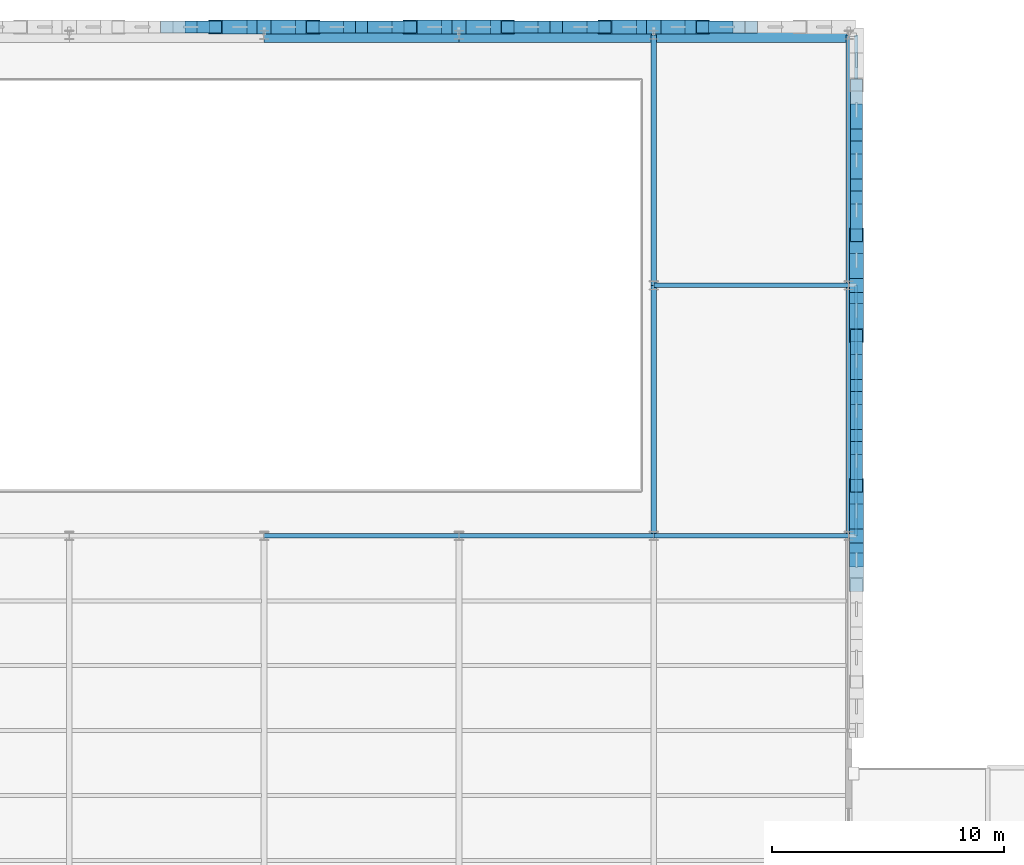
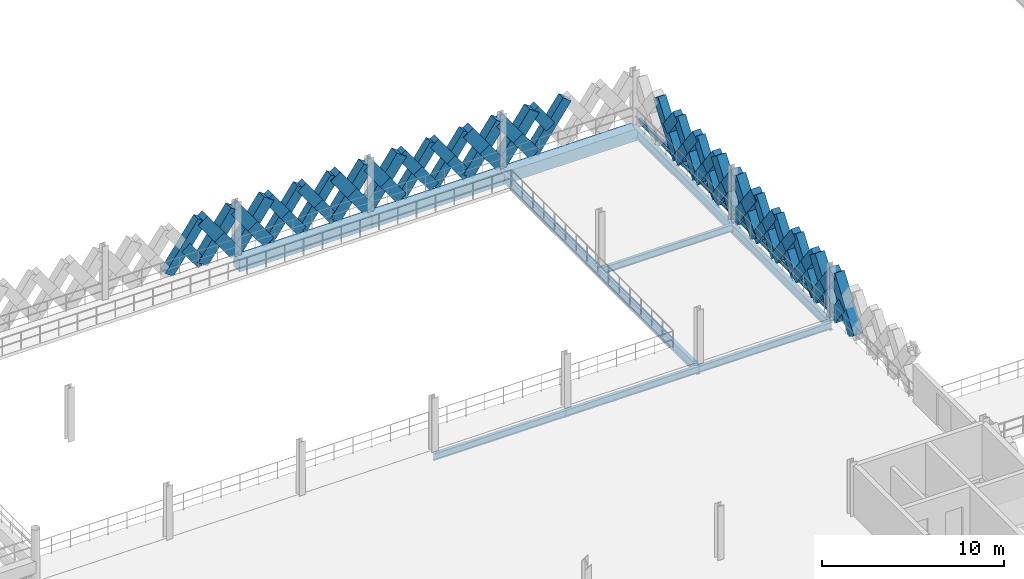
# One storey, part 42 of 101: 64 members, 11 beams.
"""IFC4 building model written with IfcOpenShell, lengths in metres."""

from ifc_helpers import new_model, si_unit, direction, frame, origin, origin_2d, place, context, subcontext, project, spatial, rectangle, hollow_rectangle, i_section, extrude, material, material_profile, profile_set, type_object, element, save


model = new_model("IFC4")

# Units and contexts
model_context = context("Model", 3, precision=1e-05, world=origin(), true_north=direction((0.0, 1.0)))
body_context = subcontext(model_context, "Body", "Model", "MODEL_VIEW")
ifc_project = project(units=[si_unit("LENGTHUNIT", "METRE"), si_unit("AREAUNIT", "SQUARE_METRE"), si_unit("VOLUMEUNIT", "CUBIC_METRE"), si_unit("PLANEANGLEUNIT", "RADIAN"), si_unit("MASSUNIT", "GRAM", prefix="KILO"), si_unit("THERMODYNAMICTEMPERATUREUNIT", "KELVIN"), si_unit("POWERUNIT", "WATT")], contexts=[model_context])

# Site, building, storey
site_placement = place(None, origin())
site = spatial("IfcSite", under=ifc_project, at=site_placement, CompositionType="ELEMENT")
building_placement = place(site_placement, origin())
building = spatial("IfcBuilding", under=site, at=building_placement, Name="Tembeka Court Mobility Hub", CompositionType="ELEMENT")
storey_placement = place(building_placement, frame((0.0, 0.0, 5.39990234375)))
storey = spatial("IfcBuildingStorey", under=building, at=storey_placement, Name="L01", CompositionType="ELEMENT", Elevation=5.39990234375)

# Beams
ifc_material_1 = material(Name="Steel S355", Category="steel")
ifc_material_profile_1 = material_profile(ifc_material_1, i_section(OverallWidth=0.18994140625, OverallDepth=0.45703125, WebThickness=0.009033203125, FlangeThickness=0.014404296875, FilletRadius=0.01025390625, at=origin_2d()), Name="UKB 457x191x74")
ifc_profile_set_1 = profile_set([ifc_material_profile_1], Name="Steel S355")
beam_type_1 = type_object("IfcBeamType", Name="BM-B01", PredefinedType="BEAM", material=ifc_profile_set_1)
beam_1_placement = place(storey_placement, frame((67.199951171875, 97.199951171875, -0.448486328125), z_axis=(1.0, 0.0, 0.0), x_axis=(0.0, 1.0, 0.0)))
element("IfcBeam", 1, at=beam_1_placement, inside=storey, type_object=beam_type_1, Name="Beam B01 (BM-L01-X0743)", PredefinedType="BEAM", context=body_context, shape_type="SweptSolid", body=[
    extrude(i_section(OverallWidth=0.18994140625, OverallDepth=0.45703125, WebThickness=0.009033203125, FlangeThickness=0.014404296875, FilletRadius=0.01025390625, at=origin_2d()), origin(), (0.0, 0.0, 1.0), 8.400146484375),
])
for number, where, z_axis, x_axis, name in (
    (2, (75.60009765625, 97.199951171875, -0.448486328125), (1.0, 0.0, 0.0), (0.0, 1.0, 0.0), "Beam B01 (BM-L01-X0744)"),
    (3, (84.0, 97.199951171875, -0.448486328125), (1.0, 0.0, 0.0), (0.0, 1.0, 0.0), "Beam B01 (BM-L01-X0745)"),
    (4, (84.0, 108.0, -0.448486328125), (1.0, 0.0, 0.0), (0.0, 1.0, 0.0), "Beam B01 (BM-L01-X0749)"),
):
    element("IfcBeam", number, at=place(storey_placement, frame(where, z_axis=z_axis, x_axis=x_axis)), inside=storey, type_object=beam_type_1, Name=name, PredefinedType="BEAM", context=body_context, shape_type="SweptSolid", body=[
        extrude(i_section(OverallWidth=0.18994140625, OverallDepth=0.45703125, WebThickness=0.009033203125, FlangeThickness=0.014404296875, FilletRadius=0.01025390625, at=origin_2d()), origin(), (0.0, 0.0, 1.0), 8.39990234375),
    ])
ifc_material_profile_2 = material_profile(ifc_material_1, i_section(OverallWidth=0.22900390625, OverallDepth=0.612060546875, WebThickness=0.011962890625, FlangeThickness=0.01953125, FilletRadius=0.0126953125, at=origin_2d()), Name="UKB 610x229x125")
ifc_profile_set_2 = profile_set([ifc_material_profile_2], Name="Steel S355")
beam_type_2 = type_object("IfcBeamType", Name="BM-G02", PredefinedType="USERDEFINED", material=ifc_profile_set_2)
for number, where, z_axis, x_axis, name in (
    (5, (84.0, 97.199951171875, -0.52587890625), (0.0, 1.0, 0.0), (-1.0, 0.0, 0.0), "Beam G02 (BM-L01-Y0853)"),
    (6, (84.0, 108.0, -0.52587890625), (0.0, 1.0, 0.0), (-1.0, 0.0, 0.0), "Beam G02 (BM-L01-Y0854)"),
    (7, (92.39990234375, 97.199951171875, -0.52587890625), (0.0, 1.0, 0.0), (-1.0, 0.0, 0.0), "Beam G02 (BM-L01-Y0864)"),
    (8, (92.39990234375, 108.0, -0.52587890625), (0.0, 1.0, 0.0), (-1.0, 0.0, 0.0), "Beam G02 (BM-L01-Y0865)"),
):
    element("IfcBeam", number, at=place(storey_placement, frame(where, z_axis=z_axis, x_axis=x_axis)), inside=storey, type_object=beam_type_2, Name=name, ObjectType="GIRDER", PredefinedType="USERDEFINED", context=body_context, shape_type="SweptSolid", body=[
        extrude(i_section(OverallWidth=0.22900390625, OverallDepth=0.612060546875, WebThickness=0.011962890625, FlangeThickness=0.01953125, FilletRadius=0.0126953125, at=origin_2d()), origin(), (0.0, 0.0, 1.0), 10.800048828125),
    ])
ifc_material_2 = material(Name="Precast concrete C45/55", Category="concrete")
ifc_material_profile_3 = material_profile(ifc_material_2, rectangle(XDim=0.64990234375, YDim=0.800048828125, at=origin_2d()), Name="PC-SP 650x800")
ifc_profile_set_3 = profile_set([ifc_material_profile_3], Name="Precast concrete C45/55")
beam_type_3 = type_object("IfcBeamType", Name="BM-SP01", PredefinedType="SPANDREL", material=ifc_profile_set_3)
beam_2_placement = place(storey_placement, frame((67.199951171875, 118.800048828125, -0.619873046875), z_axis=(1.0, 0.0, 0.0), x_axis=(0.0, 1.0, 0.0)))
element("IfcBeam", 9, at=beam_2_placement, inside=storey, type_object=beam_type_3, Name="Beam SP01 (BM-L01-X0758)", PredefinedType="SPANDREL", context=body_context, shape_type="SweptSolid", body=[
    extrude(rectangle(XDim=0.64990234375, YDim=0.800048828125, at=origin_2d()), origin(), (0.0, 0.0, 1.0), 8.400146484375),
])
for number, where, z_axis, x_axis, name in (
    (10, (75.60009765625, 118.800048828125, -0.619873046875), (1.0, 0.0, 0.0), (0.0, 1.0, 0.0), "Beam SP01 (BM-L01-X0759)"),
    (11, (84.0, 118.800048828125, -0.619873046875), (1.0, 0.0, 0.0), (0.0, 1.0, 0.0), "Beam SP01 (BM-L01-X0760)"),
):
    element("IfcBeam", number, at=place(storey_placement, frame(where, z_axis=z_axis, x_axis=x_axis)), inside=storey, type_object=beam_type_3, Name=name, PredefinedType="SPANDREL", context=body_context, shape_type="SweptSolid", body=[
        extrude(rectangle(XDim=0.64990234375, YDim=0.800048828125, at=origin_2d()), origin(), (0.0, 0.0, 1.0), 8.39990234375),
    ])

# Members
ifc_material_profile_4 = material_profile(ifc_material_2, rectangle(XDim=0.5, YDim=0.64990234375, at=origin_2d()), Name="PC-DIAG 500x650")
ifc_profile_set_4 = profile_set([ifc_material_profile_4], Name="Precast concrete C45/55")
member_type_1 = type_object("IfcMemberType", Name="MEM-DL01", PredefinedType="BRACE", material=ifc_profile_set_4)
member_1_placement = place(storey_placement, frame((63.0, 119.139892578125, 0.02001953125), z_axis=(0.582544294934, 0.0, 0.812798956963), x_axis=(0.0, 1.0, 0.0)))
element("IfcMember", 12, at=member_1_placement, inside=storey, type_object=member_type_1, Name="Precast diamond lattice continuous strand DL01 (L01-75A)", PredefinedType="BRACE", context=body_context, shape_type="SweptSolid", body=[
    extrude(rectangle(XDim=0.5, YDim=0.64990234375, at=origin_2d()), origin(), (0.0, 0.0, 1.0), 3.60498046875),
])
member_2_placement = place(storey_placement, frame((65.10009765625, 119.139892578125, 0.02001953125), z_axis=(-0.582544294934, 0.0, 0.812798956963), x_axis=(0.0, -1.0, 0.0)))
element("IfcMember", 13, at=member_2_placement, inside=storey, type_object=member_type_1, Name="Precast diamond lattice split lower strand DL01 (L01-75B1)", PredefinedType="BRACE", context=body_context, shape_type="SweptSolid", body=[
    extrude(rectangle(XDim=0.5, YDim=0.64990234375, at=origin_2d()), origin(), (0.0, 0.0, 1.0), 1.802490234375),
])
member_3_placement = place(storey_placement, frame((69.300048828125, 119.139892578125, 0.02001953125), z_axis=(0.582499552306, 0.0, 0.812831022762), x_axis=(0.0, 1.0, 0.0)))
element("IfcMember", 14, at=member_3_placement, inside=storey, type_object=member_type_1, Name="Precast diamond lattice continuous strand DL01 (L01-78A)", PredefinedType="BRACE", context=body_context, shape_type="SweptSolid", body=[
    extrude(rectangle(XDim=0.5, YDim=0.64990234375, at=origin_2d()), origin(), (0.0, 0.0, 1.0), 3.60498046875),
])
for number, where, z_axis, x_axis, name in (
    (15, (71.39990234375, 119.139892578125, 0.02001953125), (-0.582454804382, 0.0, 0.812863088627), (0.0, -1.0, 0.0), "Precast diamond lattice split lower strand DL01 (L01-78B1)"),
    (16, (70.35009765625, 119.139892578125, 1.485107421875), (-0.582544294934, 0.0, 0.812798956963), (0.0, -1.0, 0.0), "Precast diamond lattice split upper strand DL01 (L01-78B2)"),
):
    element("IfcMember", number, at=place(storey_placement, frame(where, z_axis=z_axis, x_axis=x_axis)), inside=storey, type_object=member_type_1, Name=name, PredefinedType="BRACE", context=body_context, shape_type="SweptSolid", body=[
        extrude(rectangle(XDim=0.5, YDim=0.64990234375, at=origin_2d()), origin(), (0.0, 0.0, 1.0), 1.802490234375),
    ])
member_4_placement = place(storey_placement, frame((71.39990234375, 119.139892578125, 0.02001953125), z_axis=(0.582544294934, 0.0, 0.812798956963), x_axis=(0.0, 1.0, 0.0)))
element("IfcMember", 17, at=member_4_placement, inside=storey, type_object=member_type_1, Name="Precast diamond lattice continuous strand DL01 (L01-79A)", PredefinedType="BRACE", context=body_context, shape_type="SweptSolid", body=[
    extrude(rectangle(XDim=0.5, YDim=0.64990234375, at=origin_2d()), origin(), (0.0, 0.0, 1.0), 3.60498046875),
])
for number, where, z_axis, x_axis, name in (
    (18, (73.5, 119.139892578125, 0.02001953125), (-0.582544294934, 0.0, 0.812798956963), (0.0, -1.0, 0.0), "Precast diamond lattice split lower strand DL01 (L01-79B1)"),
    (19, (72.449951171875, 119.139892578125, 1.485107421875), (-0.582544294934, 0.0, 0.812798956963), (0.0, -1.0, 0.0), "Precast diamond lattice split upper strand DL01 (L01-79B2)"),
):
    element("IfcMember", number, at=place(storey_placement, frame(where, z_axis=z_axis, x_axis=x_axis)), inside=storey, type_object=member_type_1, Name=name, PredefinedType="BRACE", context=body_context, shape_type="SweptSolid", body=[
        extrude(rectangle(XDim=0.5, YDim=0.64990234375, at=origin_2d()), origin(), (0.0, 0.0, 1.0), 1.802490234375),
    ])
member_5_placement = place(storey_placement, frame((77.699951171875, 119.139892578125, 0.02001953125), z_axis=(0.582544294934, 0.0, 0.812798956963), x_axis=(0.0, 1.0, 0.0)))
element("IfcMember", 20, at=member_5_placement, inside=storey, type_object=member_type_1, Name="Precast diamond lattice continuous strand DL01 (L01-82A)", PredefinedType="BRACE", context=body_context, shape_type="SweptSolid", body=[
    extrude(rectangle(XDim=0.5, YDim=0.64990234375, at=origin_2d()), origin(), (0.0, 0.0, 1.0), 3.60498046875),
])
for number, where, z_axis, x_axis, name in (
    (21, (79.800048828125, 119.139892578125, 0.02001953125), (-0.582544294934, 0.0, 0.812798956963), (0.0, -1.0, 0.0), "Precast diamond lattice split lower strand DL01 (L01-82B1)"),
    (22, (78.75, 119.139892578125, 1.485107421875), (-0.582544294934, 0.0, 0.812798956963), (0.0, -1.0, 0.0), "Precast diamond lattice split upper strand DL01 (L01-82B2)"),
):
    element("IfcMember", number, at=place(storey_placement, frame(where, z_axis=z_axis, x_axis=x_axis)), inside=storey, type_object=member_type_1, Name=name, PredefinedType="BRACE", context=body_context, shape_type="SweptSolid", body=[
        extrude(rectangle(XDim=0.5, YDim=0.64990234375, at=origin_2d()), origin(), (0.0, 0.0, 1.0), 1.802490234375),
    ])
member_6_placement = place(storey_placement, frame((79.800048828125, 119.139892578125, 0.02001953125), z_axis=(0.582499552306, 0.0, 0.812831022762), x_axis=(0.0, 1.0, 0.0)))
element("IfcMember", 23, at=member_6_placement, inside=storey, type_object=member_type_1, Name="Precast diamond lattice continuous strand DL01 (L01-83A)", PredefinedType="BRACE", context=body_context, shape_type="SweptSolid", body=[
    extrude(rectangle(XDim=0.5, YDim=0.64990234375, at=origin_2d()), origin(), (0.0, 0.0, 1.0), 3.60498046875),
])
for number, where, z_axis, x_axis, name in (
    (24, (81.89990234375, 119.139892578125, 0.02001953125), (-0.582454804382, 0.0, 0.812863088627), (0.0, -1.0, 0.0), "Precast diamond lattice split lower strand DL01 (L01-83B1)"),
    (25, (80.85009765625, 119.139892578125, 1.485107421875), (-0.582544294934, 0.0, 0.812798956963), (0.0, -1.0, 0.0), "Precast diamond lattice split upper strand DL01 (L01-83B2)"),
):
    element("IfcMember", number, at=place(storey_placement, frame(where, z_axis=z_axis, x_axis=x_axis)), inside=storey, type_object=member_type_1, Name=name, PredefinedType="BRACE", context=body_context, shape_type="SweptSolid", body=[
        extrude(rectangle(XDim=0.5, YDim=0.64990234375, at=origin_2d()), origin(), (0.0, 0.0, 1.0), 1.802490234375),
    ])
member_7_placement = place(storey_placement, frame((86.10009765625, 119.139892578125, 0.02001953125), z_axis=(0.582499552306, 0.0, 0.812831022762), x_axis=(0.0, 1.0, 0.0)))
element("IfcMember", 26, at=member_7_placement, inside=storey, type_object=member_type_1, Name="Precast diamond lattice continuous strand DL01 (L01-86A)", PredefinedType="BRACE", context=body_context, shape_type="SweptSolid", body=[
    extrude(rectangle(XDim=0.5, YDim=0.64990234375, at=origin_2d()), origin(), (0.0, 0.0, 1.0), 3.60498046875),
])
member_8_placement = place(storey_placement, frame((87.14990234375, 119.139892578125, 1.485107421875), z_axis=(-0.582454804382, 0.0, 0.812863088627), x_axis=(0.0, -1.0, 0.0)))
element("IfcMember", 27, at=member_8_placement, inside=storey, type_object=member_type_1, Name="Precast diamond lattice split upper strand DL01 (L01-86B2)", PredefinedType="BRACE", context=body_context, shape_type="SweptSolid", body=[
    extrude(rectangle(XDim=0.5, YDim=0.64990234375, at=origin_2d()), origin(), (0.0, 0.0, 1.0), 1.802490234375),
])
member_9_placement = place(storey_placement, frame((92.739990234375, 99.360107421875, 0.02001953125), z_axis=(0.0, 0.593347732742, 0.804946251653), x_axis=(-1.0, 0.0, 0.0)))
element("IfcMember", 28, at=member_9_placement, inside=storey, type_object=member_type_1, Name="Precast diamond lattice continuous strand DL01 (L01-180C)", PredefinedType="BRACE", context=body_context, shape_type="SweptSolid", body=[
    extrude(rectangle(XDim=0.5, YDim=0.64990234375, at=origin_2d()), origin(), (0.0, 0.0, 1.0), 3.64013671875),
])
for number, where, z_axis, x_axis, name in (
    (29, (92.739990234375, 101.52001953125, 0.02001953125), (0.0, -0.593391185876, 0.804914219358), (1.0, 0.0, 0.0), "Precast diamond lattice split lower strand DL01 (L01-180D1)"),
    (30, (92.739990234375, 100.43994140625, 1.485107421875), (0.0, -0.593304274421, 0.804978284151), (1.0, 0.0, 0.0), "Precast diamond lattice split upper strand DL01 (L01-180D2)"),
):
    element("IfcMember", number, at=place(storey_placement, frame(where, z_axis=z_axis, x_axis=x_axis)), inside=storey, type_object=member_type_1, Name=name, PredefinedType="BRACE", context=body_context, shape_type="SweptSolid", body=[
        extrude(rectangle(XDim=0.5, YDim=0.64990234375, at=origin_2d()), origin(), (0.0, 0.0, 1.0), 1.820068359375),
    ])
member_10_placement = place(storey_placement, frame((92.739990234375, 101.52001953125, 0.02001953125), z_axis=(0.0, 0.593347732742, 0.804946251653), x_axis=(-1.0, 0.0, 0.0)))
element("IfcMember", 31, at=member_10_placement, inside=storey, type_object=member_type_1, Name="Precast diamond lattice continuous strand DL01 (L01-181C)", PredefinedType="BRACE", context=body_context, shape_type="SweptSolid", body=[
    extrude(rectangle(XDim=0.5, YDim=0.64990234375, at=origin_2d()), origin(), (0.0, 0.0, 1.0), 3.64013671875),
])
for number, where, z_axis, x_axis, name in (
    (32, (92.739990234375, 103.679931640625, 0.02001953125), (0.0, -0.593304274421, 0.804978284151), (1.0, 0.0, 0.0), "Precast diamond lattice split lower strand DL01 (L01-181D1)"),
    (33, (92.739990234375, 102.60009765625, 1.485107421875), (0.0, -0.593391185876, 0.804914219358), (1.0, 0.0, 0.0), "Precast diamond lattice split upper strand DL01 (L01-181D2)"),
):
    element("IfcMember", number, at=place(storey_placement, frame(where, z_axis=z_axis, x_axis=x_axis)), inside=storey, type_object=member_type_1, Name=name, PredefinedType="BRACE", context=body_context, shape_type="SweptSolid", body=[
        extrude(rectangle(XDim=0.5, YDim=0.64990234375, at=origin_2d()), origin(), (0.0, 0.0, 1.0), 1.820068359375),
    ])
member_11_placement = place(storey_placement, frame((92.739990234375, 103.679931640625, 0.02001953125), z_axis=(0.0, 0.593391185876, 0.804914219358), x_axis=(-1.0, 0.0, 0.0)))
element("IfcMember", 34, at=member_11_placement, inside=storey, type_object=member_type_1, Name="Precast diamond lattice continuous strand DL01 (L01-182C)", PredefinedType="BRACE", context=body_context, shape_type="SweptSolid", body=[
    extrude(rectangle(XDim=0.5, YDim=0.64990234375, at=origin_2d()), origin(), (0.0, 0.0, 1.0), 3.640380859375),
])
for number, where, z_axis, x_axis, name in (
    (35, (92.739990234375, 105.840087890625, 0.02001953125), (0.0, -0.593391185876, 0.804914219358), (1.0, 0.0, 0.0), "Precast diamond lattice split lower strand DL01 (L01-182D1)"),
    (36, (92.739990234375, 104.760009765625, 1.485107421875), (0.0, -0.593391185876, 0.804914219358), (1.0, 0.0, 0.0), "Precast diamond lattice split upper strand DL01 (L01-182D2)"),
):
    element("IfcMember", number, at=place(storey_placement, frame(where, z_axis=z_axis, x_axis=x_axis)), inside=storey, type_object=member_type_1, Name=name, PredefinedType="BRACE", context=body_context, shape_type="SweptSolid", body=[
        extrude(rectangle(XDim=0.5, YDim=0.64990234375, at=origin_2d()), origin(), (0.0, 0.0, 1.0), 1.820068359375),
    ])
member_12_placement = place(storey_placement, frame((92.739990234375, 110.159912109375, 0.02001953125), z_axis=(0.0, 0.593391185876, 0.804914219358), x_axis=(-1.0, 0.0, 0.0)))
element("IfcMember", 37, at=member_12_placement, inside=storey, type_object=member_type_1, Name="Precast diamond lattice continuous strand DL01 (L01-185C)", PredefinedType="BRACE", context=body_context, shape_type="SweptSolid", body=[
    extrude(rectangle(XDim=0.5, YDim=0.64990234375, at=origin_2d()), origin(), (0.0, 0.0, 1.0), 3.640380859375),
])
for number, where, z_axis, x_axis, name in (
    (38, (92.739990234375, 112.320068359375, 0.02001953125), (0.0, -0.593391185876, 0.804914219358), (1.0, 0.0, 0.0), "Precast diamond lattice split lower strand DL01 (L01-185D1)"),
    (39, (92.739990234375, 111.239990234375, 1.485107421875), (0.0, -0.593391185876, 0.804914219358), (1.0, 0.0, 0.0), "Precast diamond lattice split upper strand DL01 (L01-185D2)"),
):
    element("IfcMember", number, at=place(storey_placement, frame(where, z_axis=z_axis, x_axis=x_axis)), inside=storey, type_object=member_type_1, Name=name, PredefinedType="BRACE", context=body_context, shape_type="SweptSolid", body=[
        extrude(rectangle(XDim=0.5, YDim=0.64990234375, at=origin_2d()), origin(), (0.0, 0.0, 1.0), 1.820068359375),
    ])
member_13_placement = place(storey_placement, frame((92.739990234375, 112.320068359375, 0.02001953125), z_axis=(0.0, 0.593347732742, 0.804946251653), x_axis=(-1.0, 0.0, 0.0)))
element("IfcMember", 40, at=member_13_placement, inside=storey, type_object=member_type_1, Name="Precast diamond lattice continuous strand DL01 (L01-186C)", PredefinedType="BRACE", context=body_context, shape_type="SweptSolid", body=[
    extrude(rectangle(XDim=0.5, YDim=0.64990234375, at=origin_2d()), origin(), (0.0, 0.0, 1.0), 3.64013671875),
])
for number, where, z_axis, x_axis, name in (
    (41, (92.739990234375, 114.47998046875, 0.02001953125), (0.0, -0.593391185876, 0.804914219358), (1.0, 0.0, 0.0), "Precast diamond lattice split lower strand DL01 (L01-186D1)"),
    (42, (92.739990234375, 113.39990234375, 1.485107421875), (0.0, -0.593304274421, 0.804978284151), (1.0, 0.0, 0.0), "Precast diamond lattice split upper strand DL01 (L01-186D2)"),
):
    element("IfcMember", number, at=place(storey_placement, frame(where, z_axis=z_axis, x_axis=x_axis)), inside=storey, type_object=member_type_1, Name=name, PredefinedType="BRACE", context=body_context, shape_type="SweptSolid", body=[
        extrude(rectangle(XDim=0.5, YDim=0.64990234375, at=origin_2d()), origin(), (0.0, 0.0, 1.0), 1.820068359375),
    ])
member_14_placement = place(storey_placement, frame((92.739990234375, 114.47998046875, 0.02001953125), z_axis=(0.0, 0.593347732742, 0.804946251653), x_axis=(-1.0, 0.0, 0.0)))
element("IfcMember", 43, at=member_14_placement, inside=storey, type_object=member_type_1, Name="Precast diamond lattice continuous strand DL01 (L01-187C)", PredefinedType="BRACE", context=body_context, shape_type="SweptSolid", body=[
    extrude(rectangle(XDim=0.5, YDim=0.64990234375, at=origin_2d()), origin(), (0.0, 0.0, 1.0), 3.64013671875),
])
member_15_placement = place(storey_placement, frame((92.739990234375, 115.56005859375, 1.485107421875), z_axis=(0.0, -0.593391185876, 0.804914219358), x_axis=(1.0, 0.0, 0.0)))
element("IfcMember", 44, at=member_15_placement, inside=storey, type_object=member_type_1, Name="Precast diamond lattice split upper strand DL01 (L01-187D2)", PredefinedType="BRACE", context=body_context, shape_type="SweptSolid", body=[
    extrude(rectangle(XDim=0.5, YDim=0.64990234375, at=origin_2d()), origin(), (0.0, 0.0, 1.0), 1.820068359375),
])
ifc_material_profile_5 = material_profile(ifc_material_2, rectangle(XDim=0.60009765625, YDim=0.75, at=origin_2d()), Name="PC-DIAG 600x750")
ifc_profile_set_5 = profile_set([ifc_material_profile_5], Name="Precast concrete C45/55")
member_type_2 = type_object("IfcMemberType", Name="MEM-DL02", PredefinedType="BRACE", material=ifc_profile_set_5)
member_16_placement = place(storey_placement, frame((65.10009765625, 119.139892578125, 0.02001953125), z_axis=(0.582499552306, 0.0, 0.812831022762), x_axis=(0.0, 1.0, 0.0)))
element("IfcMember", 45, at=member_16_placement, inside=storey, type_object=member_type_2, Name="Precast diamond lattice continuous strand DL02 (L01-76A)", PredefinedType="BRACE", context=body_context, shape_type="SweptSolid", body=[
    extrude(rectangle(XDim=0.60009765625, YDim=0.75, at=origin_2d()), origin(), (0.0, 0.0, 1.0), 3.60498046875),
])
for number, where, z_axis, x_axis, name in (
    (46, (67.199951171875, 119.139892578125, 0.02001953125), (-0.582544294934, 0.0, 0.812798956963), (0.0, -1.0, 0.0), "Precast diamond lattice split lower strand DL02 (L01-76B1)"),
    (47, (66.14990234375, 119.139892578125, 1.485107421875), (-0.582454804382, 0.0, 0.812863088627), (0.0, -1.0, 0.0), "Precast diamond lattice split upper strand DL02 (L01-76B2)"),
):
    element("IfcMember", number, at=place(storey_placement, frame(where, z_axis=z_axis, x_axis=x_axis)), inside=storey, type_object=member_type_2, Name=name, PredefinedType="BRACE", context=body_context, shape_type="SweptSolid", body=[
        extrude(rectangle(XDim=0.60009765625, YDim=0.75, at=origin_2d()), origin(), (0.0, 0.0, 1.0), 1.802490234375),
    ])
member_17_placement = place(storey_placement, frame((67.199951171875, 119.139892578125, 0.02001953125), z_axis=(0.582544294934, 0.0, 0.812798956963), x_axis=(0.0, 1.0, 0.0)))
element("IfcMember", 48, at=member_17_placement, inside=storey, type_object=member_type_2, Name="Precast diamond lattice continuous strand DL02 (L01-77A)", PredefinedType="BRACE", context=body_context, shape_type="SweptSolid", body=[
    extrude(rectangle(XDim=0.60009765625, YDim=0.75, at=origin_2d()), origin(), (0.0, 0.0, 1.0), 3.60498046875),
])
for number, where, z_axis, x_axis, name in (
    (49, (69.300048828125, 119.139892578125, 0.02001953125), (-0.582544294934, 0.0, 0.812798956963), (0.0, -1.0, 0.0), "Precast diamond lattice split lower strand DL02 (L01-77B1)"),
    (50, (68.25, 119.139892578125, 1.485107421875), (-0.582544294934, 0.0, 0.812798956963), (0.0, -1.0, 0.0), "Precast diamond lattice split upper strand DL02 (L01-77B2)"),
):
    element("IfcMember", number, at=place(storey_placement, frame(where, z_axis=z_axis, x_axis=x_axis)), inside=storey, type_object=member_type_2, Name=name, PredefinedType="BRACE", context=body_context, shape_type="SweptSolid", body=[
        extrude(rectangle(XDim=0.60009765625, YDim=0.75, at=origin_2d()), origin(), (0.0, 0.0, 1.0), 1.802490234375),
    ])
member_18_placement = place(storey_placement, frame((73.5, 119.139892578125, 0.02001953125), z_axis=(0.582544294934, 0.0, 0.812798956963), x_axis=(0.0, 1.0, 0.0)))
element("IfcMember", 51, at=member_18_placement, inside=storey, type_object=member_type_2, Name="Precast diamond lattice continuous strand DL02 (L01-80A)", PredefinedType="BRACE", context=body_context, shape_type="SweptSolid", body=[
    extrude(rectangle(XDim=0.60009765625, YDim=0.75, at=origin_2d()), origin(), (0.0, 0.0, 1.0), 3.60498046875),
])
for number, where, z_axis, x_axis, name in (
    (52, (75.60009765625, 119.139892578125, 0.02001953125), (-0.582544294934, 0.0, 0.812798956963), (0.0, -1.0, 0.0), "Precast diamond lattice split lower strand DL02 (L01-80B1)"),
    (53, (74.550048828125, 119.139892578125, 1.485107421875), (-0.582544294934, 0.0, 0.812798956963), (0.0, -1.0, 0.0), "Precast diamond lattice split upper strand DL02 (L01-80B2)"),
):
    element("IfcMember", number, at=place(storey_placement, frame(where, z_axis=z_axis, x_axis=x_axis)), inside=storey, type_object=member_type_2, Name=name, PredefinedType="BRACE", context=body_context, shape_type="SweptSolid", body=[
        extrude(rectangle(XDim=0.60009765625, YDim=0.75, at=origin_2d()), origin(), (0.0, 0.0, 1.0), 1.802490234375),
    ])
member_19_placement = place(storey_placement, frame((75.60009765625, 119.139892578125, 0.02001953125), z_axis=(0.582499552306, 0.0, 0.812831022762), x_axis=(0.0, 1.0, 0.0)))
element("IfcMember", 54, at=member_19_placement, inside=storey, type_object=member_type_2, Name="Precast diamond lattice continuous strand DL02 (L01-81A)", PredefinedType="BRACE", context=body_context, shape_type="SweptSolid", body=[
    extrude(rectangle(XDim=0.60009765625, YDim=0.75, at=origin_2d()), origin(), (0.0, 0.0, 1.0), 3.60498046875),
])
for number, where, z_axis, x_axis, name in (
    (55, (77.699951171875, 119.139892578125, 0.02001953125), (-0.582544294934, 0.0, 0.812798956963), (0.0, -1.0, 0.0), "Precast diamond lattice split lower strand DL02 (L01-81B1)"),
    (56, (76.64990234375, 119.139892578125, 1.485107421875), (-0.582454804382, 0.0, 0.812863088627), (0.0, -1.0, 0.0), "Precast diamond lattice split upper strand DL02 (L01-81B2)"),
):
    element("IfcMember", number, at=place(storey_placement, frame(where, z_axis=z_axis, x_axis=x_axis)), inside=storey, type_object=member_type_2, Name=name, PredefinedType="BRACE", context=body_context, shape_type="SweptSolid", body=[
        extrude(rectangle(XDim=0.60009765625, YDim=0.75, at=origin_2d()), origin(), (0.0, 0.0, 1.0), 1.802490234375),
    ])
member_20_placement = place(storey_placement, frame((81.89990234375, 119.139892578125, 0.02001953125), z_axis=(0.582544294934, 0.0, 0.812798956963), x_axis=(0.0, 1.0, 0.0)))
element("IfcMember", 57, at=member_20_placement, inside=storey, type_object=member_type_2, Name="Precast diamond lattice continuous strand DL02 (L01-84A)", PredefinedType="BRACE", context=body_context, shape_type="SweptSolid", body=[
    extrude(rectangle(XDim=0.60009765625, YDim=0.75, at=origin_2d()), origin(), (0.0, 0.0, 1.0), 3.60498046875),
])
for number, where, z_axis, x_axis, name in (
    (58, (84.0, 119.139892578125, 0.02001953125), (-0.582544294934, 0.0, 0.812798956963), (0.0, -1.0, 0.0), "Precast diamond lattice split lower strand DL02 (L01-84B1)"),
    (59, (82.949951171875, 119.139892578125, 1.485107421875), (-0.582544294934, 0.0, 0.812798956963), (0.0, -1.0, 0.0), "Precast diamond lattice split upper strand DL02 (L01-84B2)"),
):
    element("IfcMember", number, at=place(storey_placement, frame(where, z_axis=z_axis, x_axis=x_axis)), inside=storey, type_object=member_type_2, Name=name, PredefinedType="BRACE", context=body_context, shape_type="SweptSolid", body=[
        extrude(rectangle(XDim=0.60009765625, YDim=0.75, at=origin_2d()), origin(), (0.0, 0.0, 1.0), 1.802490234375),
    ])
member_21_placement = place(storey_placement, frame((84.0, 119.139892578125, 0.02001953125), z_axis=(0.582544294934, 0.0, 0.812798956963), x_axis=(0.0, 1.0, 0.0)))
element("IfcMember", 60, at=member_21_placement, inside=storey, type_object=member_type_2, Name="Precast diamond lattice continuous strand DL02 (L01-85A)", PredefinedType="BRACE", context=body_context, shape_type="SweptSolid", body=[
    extrude(rectangle(XDim=0.60009765625, YDim=0.75, at=origin_2d()), origin(), (0.0, 0.0, 1.0), 3.60498046875),
])
for number, where, z_axis, x_axis, name in (
    (61, (86.10009765625, 119.139892578125, 0.02001953125), (-0.582544294934, 0.0, 0.812798956963), (0.0, -1.0, 0.0), "Precast diamond lattice split lower strand DL02 (L01-85B1)"),
    (62, (85.050048828125, 119.139892578125, 1.485107421875), (-0.582544294934, 0.0, 0.812798956963), (0.0, -1.0, 0.0), "Precast diamond lattice split upper strand DL02 (L01-85B2)"),
):
    element("IfcMember", number, at=place(storey_placement, frame(where, z_axis=z_axis, x_axis=x_axis)), inside=storey, type_object=member_type_2, Name=name, PredefinedType="BRACE", context=body_context, shape_type="SweptSolid", body=[
        extrude(rectangle(XDim=0.60009765625, YDim=0.75, at=origin_2d()), origin(), (0.0, 0.0, 1.0), 1.802490234375),
    ])
member_22_placement = place(storey_placement, frame((92.739990234375, 95.10009765625, 0.02001953125), z_axis=(0.0, 0.582499552306, 0.812831022762), x_axis=(-1.0, 0.0, 0.0)))
element("IfcMember", 63, at=member_22_placement, inside=storey, type_object=member_type_2, Name="Precast diamond lattice continuous strand DL02 (L01-178C)", PredefinedType="BRACE", context=body_context, shape_type="SweptSolid", body=[
    extrude(rectangle(XDim=0.60009765625, YDim=0.75, at=origin_2d()), origin(), (0.0, 0.0, 1.0), 3.60498046875),
])
member_23_placement = place(storey_placement, frame((92.739990234375, 97.199951171875, 0.02001953125), z_axis=(0.0, -0.582544294934, 0.812798956963), x_axis=(1.0, 0.0, 0.0)))
element("IfcMember", 64, at=member_23_placement, inside=storey, type_object=member_type_2, Name="Precast diamond lattice split lower strand DL02 (L01-178D1)", PredefinedType="BRACE", context=body_context, shape_type="SweptSolid", body=[
    extrude(rectangle(XDim=0.60009765625, YDim=0.75, at=origin_2d()), origin(), (0.0, 0.0, 1.0), 1.802490234375),
])
member_24_placement = place(storey_placement, frame((92.739990234375, 97.199951171875, 0.02001953125), z_axis=(0.0, 0.593391185876, 0.804914219358), x_axis=(-1.0, 0.0, 0.0)))
element("IfcMember", 65, at=member_24_placement, inside=storey, type_object=member_type_2, Name="Precast diamond lattice continuous strand DL02 (L01-179C)", PredefinedType="BRACE", context=body_context, shape_type="SweptSolid", body=[
    extrude(rectangle(XDim=0.60009765625, YDim=0.75, at=origin_2d()), origin(), (0.0, 0.0, 1.0), 3.640380859375),
])
for number, where, z_axis, x_axis, name in (
    (66, (92.739990234375, 99.360107421875, 0.02001953125), (0.0, -0.593391185876, 0.804914219358), (1.0, 0.0, 0.0), "Precast diamond lattice split lower strand DL02 (L01-179D1)"),
    (67, (92.739990234375, 98.280029296875, 1.485107421875), (0.0, -0.593391185876, 0.804914219358), (1.0, 0.0, 0.0), "Precast diamond lattice split upper strand DL02 (L01-179D2)"),
):
    element("IfcMember", number, at=place(storey_placement, frame(where, z_axis=z_axis, x_axis=x_axis)), inside=storey, type_object=member_type_2, Name=name, PredefinedType="BRACE", context=body_context, shape_type="SweptSolid", body=[
        extrude(rectangle(XDim=0.60009765625, YDim=0.75, at=origin_2d()), origin(), (0.0, 0.0, 1.0), 1.820068359375),
    ])
member_25_placement = place(storey_placement, frame((92.739990234375, 105.840087890625, 0.02001953125), z_axis=(0.0, 0.593347732742, 0.804946251653), x_axis=(-1.0, 0.0, 0.0)))
element("IfcMember", 68, at=member_25_placement, inside=storey, type_object=member_type_2, Name="Precast diamond lattice continuous strand DL02 (L01-183C)", PredefinedType="BRACE", context=body_context, shape_type="SweptSolid", body=[
    extrude(rectangle(XDim=0.60009765625, YDim=0.75, at=origin_2d()), origin(), (0.0, 0.0, 1.0), 3.64013671875),
])
for number, where, z_axis, x_axis, name in (
    (69, (92.739990234375, 108.0, 0.02001953125), (0.0, -0.593391185876, 0.804914219358), (1.0, 0.0, 0.0), "Precast diamond lattice split lower strand DL02 (L01-183D1)"),
    (70, (92.739990234375, 106.919921875, 1.485107421875), (0.0, -0.593304274421, 0.804978284151), (1.0, 0.0, 0.0), "Precast diamond lattice split upper strand DL02 (L01-183D2)"),
):
    element("IfcMember", number, at=place(storey_placement, frame(where, z_axis=z_axis, x_axis=x_axis)), inside=storey, type_object=member_type_2, Name=name, PredefinedType="BRACE", context=body_context, shape_type="SweptSolid", body=[
        extrude(rectangle(XDim=0.60009765625, YDim=0.75, at=origin_2d()), origin(), (0.0, 0.0, 1.0), 1.820068359375),
    ])
member_26_placement = place(storey_placement, frame((92.739990234375, 108.0, 0.02001953125), z_axis=(0.0, 0.593347732742, 0.804946251653), x_axis=(-1.0, 0.0, 0.0)))
element("IfcMember", 71, at=member_26_placement, inside=storey, type_object=member_type_2, Name="Precast diamond lattice continuous strand DL02 (L01-184C)", PredefinedType="BRACE", context=body_context, shape_type="SweptSolid", body=[
    extrude(rectangle(XDim=0.60009765625, YDim=0.75, at=origin_2d()), origin(), (0.0, 0.0, 1.0), 3.64013671875),
])
for number, where, z_axis, x_axis, name in (
    (72, (92.739990234375, 110.159912109375, 0.02001953125), (0.0, -0.593304274421, 0.804978284151), (1.0, 0.0, 0.0), "Precast diamond lattice split lower strand DL02 (L01-184D1)"),
    (73, (92.739990234375, 109.080078125, 1.485107421875), (0.0, -0.593391185876, 0.804914219358), (1.0, 0.0, 0.0), "Precast diamond lattice split upper strand DL02 (L01-184D2)"),
):
    element("IfcMember", number, at=place(storey_placement, frame(where, z_axis=z_axis, x_axis=x_axis)), inside=storey, type_object=member_type_2, Name=name, PredefinedType="BRACE", context=body_context, shape_type="SweptSolid", body=[
        extrude(rectangle(XDim=0.60009765625, YDim=0.75, at=origin_2d()), origin(), (0.0, 0.0, 1.0), 1.820068359375),
    ])
ifc_material_profile_6 = material_profile(ifc_material_1, hollow_rectangle(XDim=0.14990234375, YDim=0.300048828125, WallThickness=0.010009765625, at=origin_2d()), Name="RHS 300x150x10")
ifc_profile_set_6 = profile_set([ifc_material_profile_6], Name="Steel S355")
member_type_3 = type_object("IfcMemberType", Name="MEM-ST03", PredefinedType="STRUT", material=ifc_profile_set_6)
for number, where, z_axis, x_axis, name in (
    (74, (92.739990234375, 97.199951171875, 0.02001953125), (0.0, 1.0, 0.0), (-1.0, 0.0, 0.0), "Proud lattice sill tie chord SR03 (L01-E-97)"),
    (75, (92.739990234375, 108.0, 0.02001953125), (0.0, 1.0, 0.0), (-1.0, 0.0, 0.0), "Proud lattice sill tie chord SR03 (L01-E-108)"),
):
    element("IfcMember", number, at=place(storey_placement, frame(where, z_axis=z_axis, x_axis=x_axis)), inside=storey, type_object=member_type_3, Name=name, PredefinedType="STRUT", context=body_context, shape_type="SweptSolid", body=[
        extrude(hollow_rectangle(XDim=0.14990234375, YDim=0.300048828125, WallThickness=0.010009765625, at=origin_2d()), origin(), (0.0, 0.0, 1.0), 10.800048828125),
    ])

save(model, "model.ifc")
